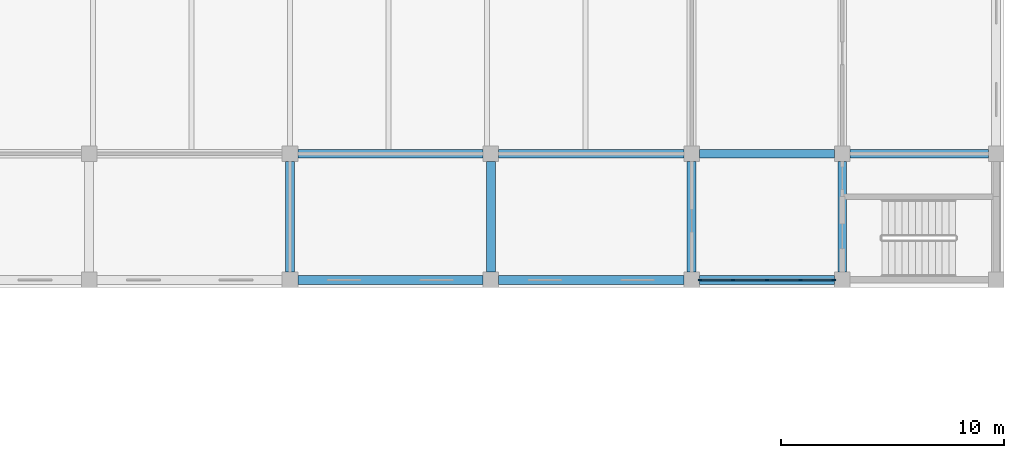
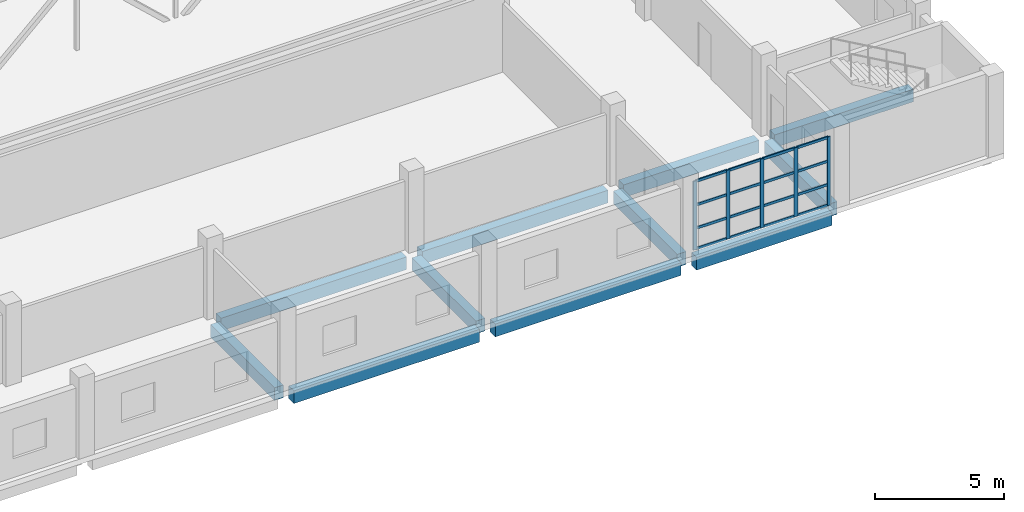
# One storey, part 6 of 42: 21 members, 11 beams, 1 element without a shape of its own.
"""IFC4 building model written with IfcOpenShell, lengths in metres."""

from ifc_helpers import new_model, si_unit, direction, frame, origin, origin_2d, place, context, subcontext, project, spatial, rectangle, extrude, material, layer, layer_set, material_profile, profile_set, type_object, element, aggregate, save


model = new_model("IFC4")

# Units and contexts
model_context = context("Model", 3, precision=1e-05, world=origin(), true_north=direction((0.0, 1.0)))
body_context = subcontext(model_context, "Body", "Model", "MODEL_VIEW")
ifc_project = project(units=[si_unit("LENGTHUNIT", "METRE"), si_unit("AREAUNIT", "SQUARE_METRE"), si_unit("VOLUMEUNIT", "CUBIC_METRE"), si_unit("PLANEANGLEUNIT", "RADIAN"), si_unit("MASSUNIT", "GRAM", prefix="KILO")], contexts=[model_context])

# Site, building, storey
site_placement = place(None, origin())
site = spatial("IfcSite", under=ifc_project, at=site_placement, CompositionType="ELEMENT")
building_placement = place(site_placement, origin())
building = spatial("IfcBuilding", under=site, at=building_placement, Name="Corbel Stack Research Tower", CompositionType="ELEMENT")
storey_placement = place(building_placement, frame((0.0, 0.0, 11.300048828125)))
storey = spatial("IfcBuildingStorey", under=building, at=storey_placement, Name="L02", CompositionType="ELEMENT", Elevation=11.300048828125)

# Curtain wall, members
ifc_material_1 = material(Name="Aluminium", Category="aluminium")
ifc_layer = layer(ifc_material_1, 0.14990234375)
ifc_layer_set = layer_set([ifc_layer], Name="Aluminium")
curtain_wall_type = type_object("IfcCurtainWallType", Name="CW5 main facade curtain wall", PredefinedType="NOTDEFINED", material=ifc_layer_set)
curtain_wall_placement = place(storey_placement, origin())
curtain_wall = element("IfcCurtainWall", 1, at=curtain_wall_placement, inside=storey, type_object=curtain_wall_type, Name="Main facade curtain wall L02 3", PredefinedType="NOTDEFINED")
ifc_material_2 = material(Name="Aluminium", Category="aluminium")
ifc_material_profile_1 = material_profile(ifc_material_2, rectangle(XDim=0.06005859375, YDim=0.159912109375, at=origin_2d()), Name="Mullion 60 x 160")
ifc_profile_set_1 = profile_set([ifc_material_profile_1], Name="Aluminium")
member_type_1 = type_object("IfcMemberType", Name="CW5 mullion 60 x 160", PredefinedType="MULLION", material=ifc_profile_set_1)
member_1_placement = place(storey_placement, frame((87.330078125, -23.64990234375, 0.0), z_axis=(0.0, 0.0, 1.0), x_axis=(0.0, 1.0, 0.0)))
member_1 = element("IfcMember", 2, at=member_1_placement, type_object=member_type_1, Name="CW5 mullion 1", PredefinedType="MULLION", context=body_context, shape_type="SweptSolid", body=[
    extrude(rectangle(XDim=0.06005859375, YDim=0.159912109375, at=origin_2d()), origin(), (0.0, 0.0, 1.0), 3.25),
])
member_2_placement = place(storey_placement, frame((88.8125, -23.64990234375, 0.0), z_axis=(0.0, 0.0, 1.0), x_axis=(0.0, 1.0, 0.0)))
member_2 = element("IfcMember", 3, at=member_2_placement, type_object=member_type_1, Name="CW5 mullion 2", PredefinedType="MULLION", context=body_context, shape_type="SweptSolid", body=[
    extrude(rectangle(XDim=0.06005859375, YDim=0.159912109375, at=origin_2d()), origin(), (0.0, 0.0, 1.0), 3.25),
])
member_3_placement = place(storey_placement, frame((90.324951171875, -23.64990234375, 0.0), z_axis=(0.0, 0.0, 1.0), x_axis=(0.0, 1.0, 0.0)))
member_3 = element("IfcMember", 4, at=member_3_placement, type_object=member_type_1, Name="CW5 mullion 3", PredefinedType="MULLION", context=body_context, shape_type="SweptSolid", body=[
    extrude(rectangle(XDim=0.06005859375, YDim=0.159912109375, at=origin_2d()), origin(), (0.0, 0.0, 1.0), 3.25),
])
member_4_placement = place(storey_placement, frame((91.83740234375, -23.64990234375, 0.0), z_axis=(0.0, 0.0, 1.0), x_axis=(0.0, 1.0, 0.0)))
member_4 = element("IfcMember", 5, at=member_4_placement, type_object=member_type_1, Name="CW5 mullion 4", PredefinedType="MULLION", context=body_context, shape_type="SweptSolid", body=[
    extrude(rectangle(XDim=0.06005859375, YDim=0.159912109375, at=origin_2d()), origin(), (0.0, 0.0, 1.0), 3.25),
])
member_5_placement = place(storey_placement, frame((93.320068359375, -23.64990234375, 0.0), z_axis=(0.0, 0.0, 1.0), x_axis=(0.0, 1.0, 0.0)))
member_5 = element("IfcMember", 6, at=member_5_placement, type_object=member_type_1, Name="CW5 mullion 5", PredefinedType="MULLION", context=body_context, shape_type="SweptSolid", body=[
    extrude(rectangle(XDim=0.06005859375, YDim=0.159912109375, at=origin_2d()), origin(), (0.0, 0.0, 1.0), 3.25),
])
ifc_material_3 = material(Name="Aluminium", Category="aluminium")
ifc_material_profile_2 = material_profile(ifc_material_3, rectangle(XDim=0.06005859375, YDim=0.1201171875, at=origin_2d()), Name="Transom 60 x 120")
ifc_profile_set_2 = profile_set([ifc_material_profile_2], Name="Aluminium")
member_type_2 = type_object("IfcMemberType", Name="CW5 transom 60 x 120", PredefinedType="USERDEFINED", material=ifc_profile_set_2)
member_6_placement = place(storey_placement, frame((87.360107421875, -23.64990234375, 0.030029296875), z_axis=(1.0, 0.0, 0.0), x_axis=(0.0, 1.0, 0.0)))
member_6 = element("IfcMember", 7, at=member_6_placement, type_object=member_type_2, Name="CW5 transom 1.1", ObjectType="TRANSOM", PredefinedType="USERDEFINED", context=body_context, shape_type="SweptSolid", body=[
    extrude(rectangle(XDim=0.06005859375, YDim=0.1201171875, at=origin_2d()), origin(), (0.0, 0.0, 1.0), 1.42236328125),
])
member_7_placement = place(storey_placement, frame((87.360107421875, -23.64990234375, 1.0), z_axis=(1.0, 0.0, 0.0), x_axis=(0.0, 1.0, 0.0)))
member_7 = element("IfcMember", 8, at=member_7_placement, type_object=member_type_2, Name="CW5 transom 1.2", ObjectType="TRANSOM", PredefinedType="USERDEFINED", context=body_context, shape_type="SweptSolid", body=[
    extrude(rectangle(XDim=0.06005859375, YDim=0.1201171875, at=origin_2d()), origin(), (0.0, 0.0, 1.0), 1.42236328125),
])
member_8_placement = place(storey_placement, frame((87.360107421875, -23.64990234375, 2.099853515625), z_axis=(1.0, 0.0, 0.0), x_axis=(0.0, 1.0, 0.0)))
member_8 = element("IfcMember", 9, at=member_8_placement, type_object=member_type_2, Name="CW5 transom 1.3", ObjectType="TRANSOM", PredefinedType="USERDEFINED", context=body_context, shape_type="SweptSolid", body=[
    extrude(rectangle(XDim=0.06005859375, YDim=0.1201171875, at=origin_2d()), origin(), (0.0, 0.0, 1.0), 1.42236328125),
])
member_9_placement = place(storey_placement, frame((87.360107421875, -23.64990234375, 3.219970703125), z_axis=(1.0, 0.0, 0.0), x_axis=(0.0, 1.0, 0.0)))
member_9 = element("IfcMember", 10, at=member_9_placement, type_object=member_type_2, Name="CW5 transom 1.4", ObjectType="TRANSOM", PredefinedType="USERDEFINED", context=body_context, shape_type="SweptSolid", body=[
    extrude(rectangle(XDim=0.06005859375, YDim=0.1201171875, at=origin_2d()), origin(), (0.0, 0.0, 1.0), 1.42236328125),
])
member_10_placement = place(storey_placement, frame((88.842529296875, -23.64990234375, 0.030029296875), z_axis=(1.0, 0.0, 0.0), x_axis=(0.0, 1.0, 0.0)))
member_10 = element("IfcMember", 11, at=member_10_placement, type_object=member_type_2, Name="CW5 transom 2.1", ObjectType="TRANSOM", PredefinedType="USERDEFINED", context=body_context, shape_type="SweptSolid", body=[
    extrude(rectangle(XDim=0.06005859375, YDim=0.1201171875, at=origin_2d()), origin(), (0.0, 0.0, 1.0), 1.452392578125),
])
member_11_placement = place(storey_placement, frame((88.842529296875, -23.64990234375, 1.0), z_axis=(1.0, 0.0, 0.0), x_axis=(0.0, 1.0, 0.0)))
member_11 = element("IfcMember", 12, at=member_11_placement, type_object=member_type_2, Name="CW5 transom 2.2", ObjectType="TRANSOM", PredefinedType="USERDEFINED", context=body_context, shape_type="SweptSolid", body=[
    extrude(rectangle(XDim=0.06005859375, YDim=0.1201171875, at=origin_2d()), origin(), (0.0, 0.0, 1.0), 1.452392578125),
])
member_12_placement = place(storey_placement, frame((88.842529296875, -23.64990234375, 2.099853515625), z_axis=(1.0, 0.0, 0.0), x_axis=(0.0, 1.0, 0.0)))
member_12 = element("IfcMember", 13, at=member_12_placement, type_object=member_type_2, Name="CW5 transom 2.3", ObjectType="TRANSOM", PredefinedType="USERDEFINED", context=body_context, shape_type="SweptSolid", body=[
    extrude(rectangle(XDim=0.06005859375, YDim=0.1201171875, at=origin_2d()), origin(), (0.0, 0.0, 1.0), 1.452392578125),
])
member_13_placement = place(storey_placement, frame((88.842529296875, -23.64990234375, 3.219970703125), z_axis=(1.0, 0.0, 0.0), x_axis=(0.0, 1.0, 0.0)))
member_13 = element("IfcMember", 14, at=member_13_placement, type_object=member_type_2, Name="CW5 transom 2.4", ObjectType="TRANSOM", PredefinedType="USERDEFINED", context=body_context, shape_type="SweptSolid", body=[
    extrude(rectangle(XDim=0.06005859375, YDim=0.1201171875, at=origin_2d()), origin(), (0.0, 0.0, 1.0), 1.452392578125),
])
member_14_placement = place(storey_placement, frame((90.35498046875, -23.64990234375, 0.030029296875), z_axis=(1.0, 0.0, 0.0), x_axis=(0.0, 1.0, 0.0)))
member_14 = element("IfcMember", 15, at=member_14_placement, type_object=member_type_2, Name="CW5 transom 3.1", ObjectType="TRANSOM", PredefinedType="USERDEFINED", context=body_context, shape_type="SweptSolid", body=[
    extrude(rectangle(XDim=0.06005859375, YDim=0.1201171875, at=origin_2d()), origin(), (0.0, 0.0, 1.0), 1.45263671875),
])
member_15_placement = place(storey_placement, frame((90.35498046875, -23.64990234375, 1.0), z_axis=(1.0, 0.0, 0.0), x_axis=(0.0, 1.0, 0.0)))
member_15 = element("IfcMember", 16, at=member_15_placement, type_object=member_type_2, Name="CW5 transom 3.2", ObjectType="TRANSOM", PredefinedType="USERDEFINED", context=body_context, shape_type="SweptSolid", body=[
    extrude(rectangle(XDim=0.06005859375, YDim=0.1201171875, at=origin_2d()), origin(), (0.0, 0.0, 1.0), 1.45263671875),
])
member_16_placement = place(storey_placement, frame((90.35498046875, -23.64990234375, 2.099853515625), z_axis=(1.0, 0.0, 0.0), x_axis=(0.0, 1.0, 0.0)))
member_16 = element("IfcMember", 17, at=member_16_placement, type_object=member_type_2, Name="CW5 transom 3.3", ObjectType="TRANSOM", PredefinedType="USERDEFINED", context=body_context, shape_type="SweptSolid", body=[
    extrude(rectangle(XDim=0.06005859375, YDim=0.1201171875, at=origin_2d()), origin(), (0.0, 0.0, 1.0), 1.45263671875),
])
member_17_placement = place(storey_placement, frame((90.35498046875, -23.64990234375, 3.219970703125), z_axis=(1.0, 0.0, 0.0), x_axis=(0.0, 1.0, 0.0)))
member_17 = element("IfcMember", 18, at=member_17_placement, type_object=member_type_2, Name="CW5 transom 3.4", ObjectType="TRANSOM", PredefinedType="USERDEFINED", context=body_context, shape_type="SweptSolid", body=[
    extrude(rectangle(XDim=0.06005859375, YDim=0.1201171875, at=origin_2d()), origin(), (0.0, 0.0, 1.0), 1.45263671875),
])
member_18_placement = place(storey_placement, frame((91.867431640625, -23.64990234375, 0.030029296875), z_axis=(1.0, 0.0, 0.0), x_axis=(0.0, 1.0, 0.0)))
member_18 = element("IfcMember", 19, at=member_18_placement, type_object=member_type_2, Name="CW5 transom 4.1", ObjectType="TRANSOM", PredefinedType="USERDEFINED", context=body_context, shape_type="SweptSolid", body=[
    extrude(rectangle(XDim=0.06005859375, YDim=0.1201171875, at=origin_2d()), origin(), (0.0, 0.0, 1.0), 1.422607421875),
])
member_19_placement = place(storey_placement, frame((91.867431640625, -23.64990234375, 1.0), z_axis=(1.0, 0.0, 0.0), x_axis=(0.0, 1.0, 0.0)))
member_19 = element("IfcMember", 20, at=member_19_placement, type_object=member_type_2, Name="CW5 transom 4.2", ObjectType="TRANSOM", PredefinedType="USERDEFINED", context=body_context, shape_type="SweptSolid", body=[
    extrude(rectangle(XDim=0.06005859375, YDim=0.1201171875, at=origin_2d()), origin(), (0.0, 0.0, 1.0), 1.422607421875),
])
member_20_placement = place(storey_placement, frame((91.867431640625, -23.64990234375, 2.099853515625), z_axis=(1.0, 0.0, 0.0), x_axis=(0.0, 1.0, 0.0)))
member_20 = element("IfcMember", 21, at=member_20_placement, type_object=member_type_2, Name="CW5 transom 4.3", ObjectType="TRANSOM", PredefinedType="USERDEFINED", context=body_context, shape_type="SweptSolid", body=[
    extrude(rectangle(XDim=0.06005859375, YDim=0.1201171875, at=origin_2d()), origin(), (0.0, 0.0, 1.0), 1.422607421875),
])
member_21_placement = place(storey_placement, frame((91.867431640625, -23.64990234375, 3.219970703125), z_axis=(1.0, 0.0, 0.0), x_axis=(0.0, 1.0, 0.0)))
member_21 = element("IfcMember", 22, at=member_21_placement, type_object=member_type_2, Name="CW5 transom 4.4", ObjectType="TRANSOM", PredefinedType="USERDEFINED", context=body_context, shape_type="SweptSolid", body=[
    extrude(rectangle(XDim=0.06005859375, YDim=0.1201171875, at=origin_2d()), origin(), (0.0, 0.0, 1.0), 1.422607421875),
])
aggregate(curtain_wall, [member_1, member_2, member_3, member_4, member_5, member_6, member_7, member_8, member_9, member_10, member_11, member_12, member_13, member_14, member_15, member_16, member_17, member_18, member_19, member_20, member_21])

# Beams
ifc_material_4 = material(Name="Concrete C40/50", Category="concrete")
ifc_material_profile_3 = material_profile(ifc_material_4, rectangle(XDim=0.39990234375, YDim=0.60009765625, at=origin_2d()), Name="RC 400 x 600")
ifc_profile_set_3 = profile_set([ifc_material_profile_3], Name="Concrete C40/50")
beam_type = type_object("IfcBeamType", Name="HB1 RC beam 400 x 600", PredefinedType="BEAM", material=ifc_profile_set_3)
beam_1_placement = place(storey_placement, frame((69.300048828125, -23.64990234375, -0.550048828125), z_axis=(1.0, 0.0, 0.0), x_axis=(0.0, 1.0, 0.0)))
element("IfcBeam", 23, at=beam_1_placement, inside=storey, type_object=beam_type, Name="Floor beam L02 H5HA-H6HA", PredefinedType="BEAM", context=body_context, shape_type="SweptSolid", body=[
    extrude(rectangle(XDim=0.39990234375, YDim=0.60009765625, at=origin_2d()), origin(), (0.0, 0.0, 1.0), 8.300048828125),
])
beam_2_placement = place(storey_placement, frame((68.949951171875, -23.300048828125, -0.550048828125), z_axis=(0.0, 1.0, 0.0), x_axis=(-1.0, 0.0, 0.0)))
element("IfcBeam", 24, at=beam_2_placement, inside=storey, type_object=beam_type, Name="Floor beam L02 H5HA-H5HB", PredefinedType="BEAM", context=body_context, shape_type="SweptSolid", body=[
    extrude(rectangle(XDim=0.39990234375, YDim=0.60009765625, at=origin_2d()), origin(), (0.0, 0.0, 1.0), 4.949951171875),
])
for number, where, z_axis, x_axis, name in (
    (25, (69.300048828125, -18.0, -0.550048828125), (1.0, 0.0, 0.0), (0.0, 1.0, 0.0), "Floor beam L02 H5HB-H6HB"),
    (26, (78.300048828125, -23.64990234375, -0.550048828125), (1.0, 0.0, 0.0), (0.0, 1.0, 0.0), "Floor beam L02 H6HA-H7HA"),
):
    element("IfcBeam", number, at=place(storey_placement, frame(where, z_axis=z_axis, x_axis=x_axis)), inside=storey, type_object=beam_type, Name=name, PredefinedType="BEAM", context=body_context, shape_type="SweptSolid", body=[
        extrude(rectangle(XDim=0.39990234375, YDim=0.60009765625, at=origin_2d()), origin(), (0.0, 0.0, 1.0), 8.300048828125),
    ])
beam_3_placement = place(storey_placement, frame((77.949951171875, -23.300048828125, -0.550048828125), z_axis=(0.0, 1.0, 0.0), x_axis=(-1.0, 0.0, 0.0)))
element("IfcBeam", 27, at=beam_3_placement, inside=storey, type_object=beam_type, Name="Floor beam L02 H6HA-H6HB", PredefinedType="BEAM", context=body_context, shape_type="SweptSolid", body=[
    extrude(rectangle(XDim=0.39990234375, YDim=0.60009765625, at=origin_2d()), origin(), (0.0, 0.0, 1.0), 4.949951171875),
])
beam_4_placement = place(storey_placement, frame((78.300048828125, -18.0, -0.550048828125), z_axis=(1.0, 0.0, 0.0), x_axis=(0.0, 1.0, 0.0)))
element("IfcBeam", 28, at=beam_4_placement, inside=storey, type_object=beam_type, Name="Floor beam L02 H6HB-H7HB", PredefinedType="BEAM", context=body_context, shape_type="SweptSolid", body=[
    extrude(rectangle(XDim=0.39990234375, YDim=0.60009765625, at=origin_2d()), origin(), (0.0, 0.0, 1.0), 8.300048828125),
])
beam_5_placement = place(storey_placement, frame((87.300048828125, -23.64990234375, -0.550048828125), z_axis=(1.0, 0.0, 0.0), x_axis=(0.0, 1.0, 0.0)))
element("IfcBeam", 29, at=beam_5_placement, inside=storey, type_object=beam_type, Name="Floor beam L02 H7HA-H8HA", PredefinedType="BEAM", context=body_context, shape_type="SweptSolid", body=[
    extrude(rectangle(XDim=0.39990234375, YDim=0.60009765625, at=origin_2d()), origin(), (0.0, 0.0, 1.0), 6.050048828125),
])
beam_6_placement = place(storey_placement, frame((86.949951171875, -23.300048828125, -0.550048828125), z_axis=(0.0, 1.0, 0.0), x_axis=(-1.0, 0.0, 0.0)))
element("IfcBeam", 30, at=beam_6_placement, inside=storey, type_object=beam_type, Name="Floor beam L02 H7HA-H7HB", PredefinedType="BEAM", context=body_context, shape_type="SweptSolid", body=[
    extrude(rectangle(XDim=0.39990234375, YDim=0.60009765625, at=origin_2d()), origin(), (0.0, 0.0, 1.0), 4.949951171875),
])
beam_7_placement = place(storey_placement, frame((87.300048828125, -18.0, -0.550048828125), z_axis=(1.0, 0.0, 0.0), x_axis=(0.0, 1.0, 0.0)))
element("IfcBeam", 31, at=beam_7_placement, inside=storey, type_object=beam_type, Name="Floor beam L02 H7HB-H8HB", PredefinedType="BEAM", context=body_context, shape_type="SweptSolid", body=[
    extrude(rectangle(XDim=0.39990234375, YDim=0.60009765625, at=origin_2d()), origin(), (0.0, 0.0, 1.0), 6.050048828125),
])
beam_8_placement = place(storey_placement, frame((93.699951171875, -23.300048828125, -0.550048828125), z_axis=(0.0, 1.0, 0.0), x_axis=(-1.0, 0.0, 0.0)))
element("IfcBeam", 32, at=beam_8_placement, inside=storey, type_object=beam_type, Name="Floor beam L02 H8HA-H8HB", PredefinedType="BEAM", context=body_context, shape_type="SweptSolid", body=[
    extrude(rectangle(XDim=0.39990234375, YDim=0.60009765625, at=origin_2d()), origin(), (0.0, 0.0, 1.0), 4.949951171875),
])
beam_9_placement = place(storey_placement, frame((94.050048828125, -18.0, -0.550048828125), z_axis=(1.0, 0.0, 0.0), x_axis=(0.0, 1.0, 0.0)))
element("IfcBeam", 33, at=beam_9_placement, inside=storey, type_object=beam_type, Name="Floor beam L02 H8HB-H9HB", PredefinedType="BEAM", context=body_context, shape_type="SweptSolid", body=[
    extrude(rectangle(XDim=0.39990234375, YDim=0.60009765625, at=origin_2d()), origin(), (0.0, 0.0, 1.0), 6.199951171875),
])

save(model, "model.ifc")
